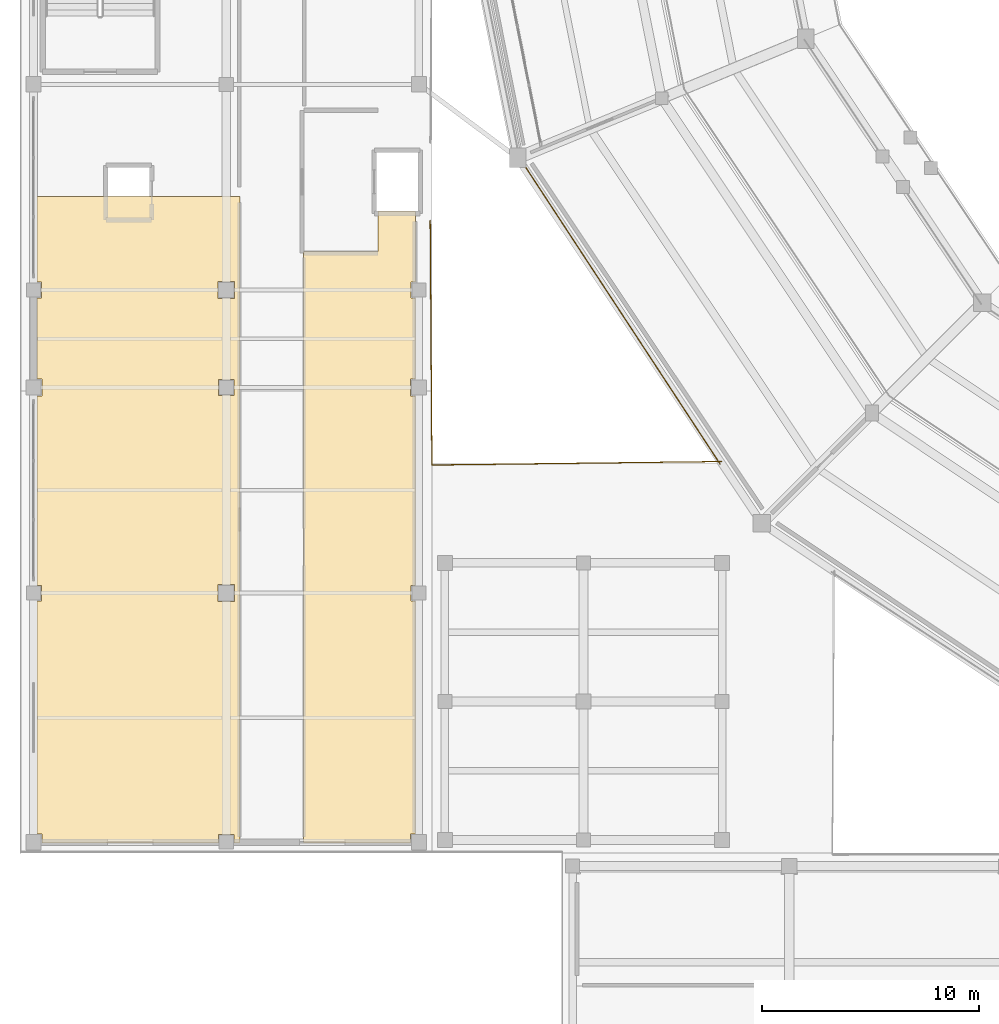
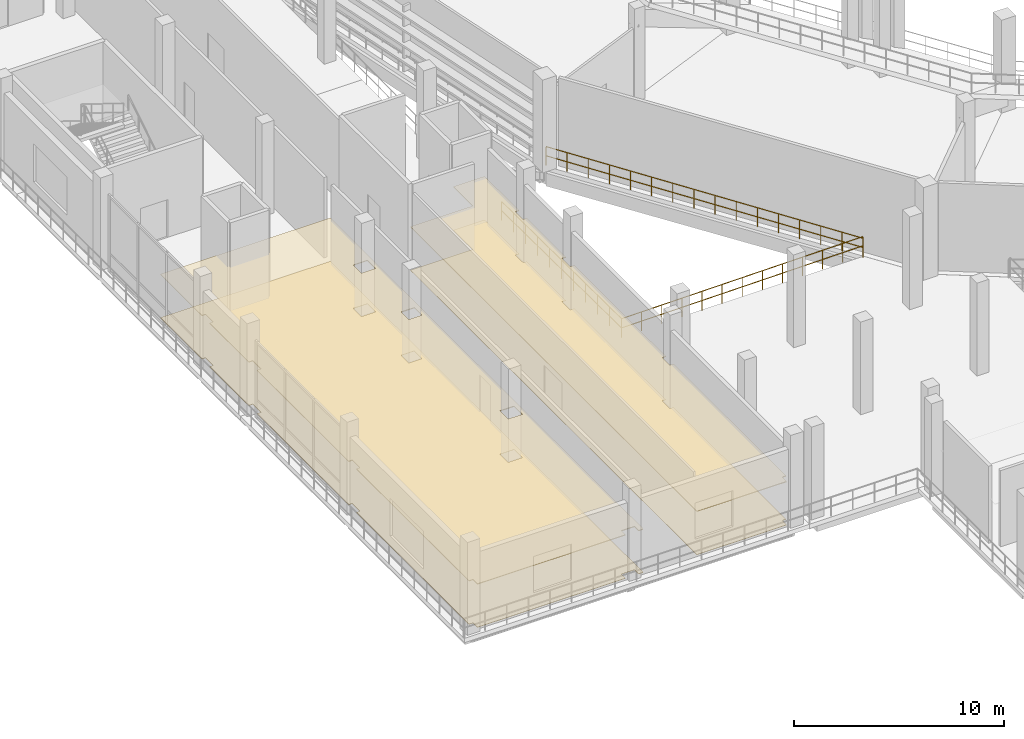
# One storey, part 96 of 127: 4 coverings, 3 railings.
"""IFC4 building model written with IfcOpenShell, lengths in metres."""

import ifcopenshell
import ifcopenshell.guid

model = None  # the IFC model being written
_history = None  # IfcOwnerHistory: only IFC2X3 demands one
_inside = {}  # id of a spatial element -> (the spatial element, [elements in it])
_under = {}  # id of a project, library or spatial element -> (it, [spatial elements below it])
_declared = {}  # id of a project -> (the project, [libraries it declares])
_typed = {}  # id of a type object -> (the type object, [elements of that type])
_made_of = {}  # id of a material, layer set ... -> (it, [elements and type objects made of it])


def new_model(schema):
    """Start an empty IFC model of exactly this schema.

    Asked for "IFC4X3", IfcOpenShell would pick the latest addendum, in which some entities
    have other attributes; the version numbers below select the first issue.
    IFC2X3 requires an IfcOwnerHistory on every rooted entity: one is made here for all.
    """
    global model, _history
    if schema == "IFC4X3":
        model = ifcopenshell.file(schema_version=(4, 3, 0, 0))
    else:
        model = ifcopenshell.file(schema=schema)
    _inside.clear()
    _under.clear()
    _declared.clear()
    _typed.clear()
    _made_of.clear()
    _history = None
    if model.schema == "IFC2X3":
        org = make("IfcOrganization", Name="unknown")
        user = make(
            "IfcPersonAndOrganization",
            ThePerson=make("IfcPerson", FamilyName="unknown"),
            TheOrganization=org,
        )
        app = make(
            "IfcApplication",
            ApplicationDeveloper=org,
            Version="unknown",
            ApplicationFullName="unknown",
            ApplicationIdentifier="unknown",
        )
        _history = make(
            "IfcOwnerHistory",
            OwningUser=user,
            OwningApplication=app,
            ChangeAction="ADDED",
            CreationDate=0,
        )
    return model


def make(cls, **values):
    """One entity of the class cls with the attributes given. An attribute that is None is left unset."""
    return model.create_entity(
        cls, **{name: value for name, value in values.items() if value is not None}
    )


def rooted(cls, **values):
    """An entity with a GlobalId (a new one), such as an element, a storey or a relation."""
    return make(cls, GlobalId=ifcopenshell.guid.new(), OwnerHistory=_history, **values)


def si_unit(unit_type, name, prefix=None):
    """IfcSIUnit, for example si_unit("LENGTHUNIT", "METRE", prefix="MILLI")."""
    return make("IfcSIUnit", UnitType=unit_type, Prefix=prefix, Name=name)


def assignment(units):
    """IfcUnitAssignment: the units of a project."""
    return None if units is None else make("IfcUnitAssignment", Units=units)


def point(xyz):
    """IfcCartesianPoint."""
    return None if xyz is None else make("IfcCartesianPoint", Coordinates=xyz)


def direction(xyz):
    """IfcDirection."""
    return None if xyz is None else make("IfcDirection", DirectionRatios=xyz)


def frame(location, z_axis=None, x_axis=None):
    """IfcAxis2Placement3D, a coordinate frame: its origin and axes. An axis left out is left unset."""
    return make(
        "IfcAxis2Placement3D",
        Location=point(location),
        Axis=direction(z_axis),
        RefDirection=direction(x_axis),
    )


def frame_2d(location, x_axis=None):
    """IfcAxis2Placement2D, a coordinate frame in the plane: its origin and x axis."""
    return make(
        "IfcAxis2Placement2D", Location=point(location), RefDirection=direction(x_axis)
    )


def origin():
    """The frame at (0, 0, 0) with its axes left unset."""
    return frame((0.0, 0.0, 0.0))


def origin_2d():
    """The frame at (0, 0) in the plane with its x axis left unset."""
    return frame_2d((0.0, 0.0))


def place(relative_to, where):
    """IfcLocalPlacement: puts the frame where relative to a parent placement (None: the world)."""
    return make(
        "IfcLocalPlacement", PlacementRelTo=relative_to, RelativePlacement=where
    )


def context(
    kind, dimensions, precision=None, world=None, true_north=None, identifier=None
):
    """IfcGeometricRepresentationContext, for example the 3D "Model" context."""
    return make(
        "IfcGeometricRepresentationContext",
        ContextIdentifier=identifier,
        ContextType=kind,
        CoordinateSpaceDimension=dimensions,
        Precision=precision,
        WorldCoordinateSystem=world,
        TrueNorth=true_north,
    )


def subcontext(parent, identifier, kind, view, scale=None):
    """IfcGeometricRepresentationSubContext, for example "Body" below "Model"."""
    return make(
        "IfcGeometricRepresentationSubContext",
        ContextIdentifier=identifier,
        ContextType=kind,
        ParentContext=parent,
        TargetScale=scale,
        TargetView=view,
    )


def project(units=None, contexts=None):
    """IfcProject with its units and contexts."""
    return rooted(
        "IfcProject",
        Name="project",
        RepresentationContexts=contexts,
        UnitsInContext=assignment(units),
    )


def spatial(cls, under=None, at=None, **own):
    """A site, building, storey or space (cls), placed at a placement, below another one or the project."""
    s = rooted(cls, ObjectPlacement=at, **own)
    if under is not None:
        _under.setdefault(under.id(), (under, []))[1].append(s)
    return s


def polyline(points):
    """IfcPolyline through the points."""
    return make("IfcPolyline", Points=[point(p) for p in points])


def profile(cls, at=None, kind="AREA", **sizes):
    """A parametric profile (cls). Its sizes go by their IFC names, for example OverallWidth=200.0."""
    return make(cls, ProfileType=kind, Position=at, **sizes)


def circle(**sizes):
    """IfcCircleProfileDef."""
    return profile("IfcCircleProfileDef", **sizes)


def outline(outer, holes=None, kind="AREA"):
    """IfcArbitraryClosedProfileDef: a profile drawn as a closed curve; with holes, ...WithVoids."""
    if holes is None:
        return make("IfcArbitraryClosedProfileDef", ProfileType=kind, OuterCurve=outer)
    return make(
        "IfcArbitraryProfileDefWithVoids",
        ProfileType=kind,
        OuterCurve=outer,
        InnerCurves=holes,
    )


def extrude(swept, where, along, depth):
    """IfcExtrudedAreaSolid: the profile swept, set in the frame where, extruded along a direction by depth."""
    return make(
        "IfcExtrudedAreaSolid",
        SweptArea=swept,
        Position=where,
        ExtrudedDirection=direction(along),
        Depth=depth,
    )


def shape(context_of_items, identifier, shape_type, items):
    """IfcShapeRepresentation: the items that make up one representation, for example the "Body"."""
    return make(
        "IfcShapeRepresentation",
        ContextOfItems=context_of_items,
        RepresentationIdentifier=identifier,
        RepresentationType=shape_type,
        Items=items,
    )


def material(Name=None, Category=None):
    """IfcMaterial."""
    return make("IfcMaterial", Name=Name, Category=Category)


def layer(
    of_material, thickness, ventilated=None, Name=None, Category=None, Priority=None
):
    """IfcMaterialLayer: one layer of a wall or slab, of a material (None: an air gap)."""
    return make(
        "IfcMaterialLayer",
        Material=of_material,
        LayerThickness=thickness,
        IsVentilated=ventilated,
        Name=Name,
        Category=Category,
        Priority=Priority,
    )


def layer_set(layers, Name=None):
    """IfcMaterialLayerSet."""
    return make("IfcMaterialLayerSet", MaterialLayers=layers, LayerSetName=Name)


def made_of(thing, what):
    """Note that an element or type object is made of a material, layer set ...; save() writes the relation."""
    if what is not None:
        _made_of.setdefault(what.id(), (what, []))[1].append(thing)
    return thing


def type_object(cls, material=None, **own):
    """A type object (cls), such as IfcWallType, which elements share."""
    return made_of(rooted(cls, **own), material)


def element(
    cls,
    number,
    at=None,
    inside=None,
    cuts=None,
    type_object=None,
    material=None,
    context=None,
    identifier="Body",
    shape_type=None,
    held_by="IfcProductDefinitionShape",
    body=None,
    shapes=None,
    **own,
):
    """One element of the class cls, such as IfcWall. Its Tag is "e" and its number.

    at: its placement. inside: the storey or other place that contains it. cuts: it is an
    opening in that element (IfcRelVoidsElement). A single representation is given by context,
    identifier, shape_type and body (its items); several are given by shapes. held_by: the class
    of the entity that holds the representations. save() writes the other relations.
    """
    e = rooted(cls, Tag="e%d" % number, ObjectPlacement=at, **own)
    if body is not None:
        shapes = [shape(context, identifier, shape_type, body)]
    if shapes is not None:
        e.Representation = make(held_by, Representations=shapes)
    if inside is not None:
        _inside.setdefault(inside.id(), (inside, []))[1].append(e)
    if cuts is not None:
        rooted(
            "IfcRelVoidsElement", RelatingBuildingElement=cuts, RelatedOpeningElement=e
        )
    if type_object is not None:
        _typed.setdefault(type_object.id(), (type_object, []))[1].append(e)
    return made_of(e, material)


def aggregate(whole, parts):
    """IfcRelAggregates: a whole, such as a stair, and the parts it consists of."""
    return rooted("IfcRelAggregates", RelatingObject=whole, RelatedObjects=parts)


def save(model, path):
    """Write the relations noted so far, then the file.

    IfcRelAggregates (storeys below a building ...), IfcRelContainedInSpatialStructure (elements
    in a storey), IfcRelDefinesByType, IfcRelAssociatesMaterial and IfcRelDeclares: one each for
    every whole, place, type object, material and project.
    """
    for whole, parts in _under.values():
        aggregate(whole, parts)
    for where, things in _inside.values():
        rooted(
            "IfcRelContainedInSpatialStructure",
            RelatedElements=things,
            RelatingStructure=where,
        )
    for kind, things in _typed.values():
        rooted("IfcRelDefinesByType", RelatedObjects=things, RelatingType=kind)
    for what, things in _made_of.values():
        rooted("IfcRelAssociatesMaterial", RelatedObjects=things, RelatingMaterial=what)
    for by, libraries in _declared.values():
        rooted("IfcRelDeclares", RelatingContext=by, RelatedDefinitions=libraries)
    model.write(path)


model = new_model("IFC4")

# Units and contexts
model_context = context("Model", 3, precision=1e-05, world=origin(), true_north=direction((0.0, 1.0)))
body_context = subcontext(model_context, "Body", "Model", "MODEL_VIEW")
ifc_project = project(units=[si_unit("LENGTHUNIT", "METRE"), si_unit("AREAUNIT", "SQUARE_METRE"), si_unit("VOLUMEUNIT", "CUBIC_METRE"), si_unit("PLANEANGLEUNIT", "RADIAN"), si_unit("MASSUNIT", "GRAM", prefix="KILO")], contexts=[model_context])

# Site, building, storey
site_placement = place(None, origin())
site = spatial("IfcSite", under=ifc_project, at=site_placement, CompositionType="ELEMENT")
building_placement = place(site_placement, origin())
building = spatial("IfcBuilding", under=site, at=building_placement, Name="Candeia Ridge Stadium", CompositionType="ELEMENT")
storey_placement = place(building_placement, frame((0.0, 0.0, 10.800048828125)))
storey = spatial("IfcBuildingStorey", under=building, at=storey_placement, Name="L02", CompositionType="ELEMENT", Elevation=10.800048828125)

# Coverings
ifc_material_1 = material(Name="Basalt Terrazzo Finish", Category="masonry")
ifc_layer_1 = layer(ifc_material_1, 0.02490234375, Name="Basalt Terrazzo Finish", Category="masonry")
ifc_layer_set_1 = layer_set([ifc_layer_1], Name="Basalt Terrazzo Finish")
covering_type_1 = type_object("IfcCoveringType", Name="Polished Basalt Terrazzo Flooring 25", PredefinedType="FLOORING", material=ifc_layer_set_1)
covering_1_placement = place(storey_placement, origin())
element("IfcCovering", 1, at=covering_1_placement, inside=storey, type_object=covering_type_1, Name="Interior finish flooring Founders Club Lounge", PredefinedType="FLOORING", context=body_context, shape_type="SweptSolid", body=[
    extrude(outline(polyline([(0.965087890625, 30.635009765625), (0.965087890625, 31.364990234375), (0.77001953125, 31.364990234375), (0.77001953125, 40.110107421875), (0.989990234375, 40.110107421875), (0.989990234375, 40.889892578125), (0.77001953125, 40.889892578125), (0.77001953125, 44.635009765625), (0.965087890625, 44.635009765625), (0.965087890625, 45.364990234375), (0.77001953125, 45.364990234375), (0.77001953125, 49.300048828125), (0.77001953125, 49.302978515625), (0.7705078125, 49.305908203125), (0.771240234375, 49.30859375), (0.772216796875, 49.3115234375), (0.7734375, 49.314208984375), (0.775146484375, 49.316650390625), (0.77685546875, 49.319091796875), (0.77880859375, 49.3212890625), (0.781005859375, 49.3232421875), (0.783203125, 49.324951171875), (0.785888671875, 49.326416015625), (0.78857421875, 49.32763671875), (0.791259765625, 49.32861328125), (0.794189453125, 49.329345703125), (0.797119140625, 49.329833984375), (0.800048828125, 49.330078125), (10.10009765625, 49.330078125), (10.102783203125, 49.329833984375), (10.10595703125, 49.329345703125), (10.108642578125, 49.32861328125), (10.111572265625, 49.32763671875), (10.114013671875, 49.326416015625), (10.11669921875, 49.324951171875), (10.118896484375, 49.3232421875), (10.12109375, 49.3212890625), (10.123291015625, 49.319091796875), (10.125, 49.316650390625), (10.12646484375, 49.314208984375), (10.127685546875, 49.3115234375), (10.128662109375, 49.30859375), (10.12939453125, 49.305908203125), (10.1298828125, 49.302978515625), (10.1298828125, 49.300048828125), (10.1298828125, 19.5), (10.1298828125, 19.4970703125), (10.12939453125, 19.494140625), (10.128662109375, 19.4912109375), (10.127685546875, 19.488525390625), (10.12646484375, 19.48583984375), (10.125, 19.4833984375), (10.123291015625, 19.48095703125), (10.12109375, 19.478759765625), (10.118896484375, 19.476806640625), (10.11669921875, 19.47509765625), (10.114013671875, 19.473388671875), (10.111572265625, 19.472412109375), (10.108642578125, 19.47119140625), (10.10595703125, 19.470703125), (10.102783203125, 19.47021484375), (10.10009765625, 19.469970703125), (9.864990234375, 19.469970703125), (9.864990234375, 19.864990234375), (9.135009765625, 19.864990234375), (9.135009765625, 19.469970703125), (0.989990234375, 19.469970703125), (0.989990234375, 19.889892578125), (0.77001953125, 19.889892578125), (0.77001953125, 30.635009765625), (0.965087890625, 30.635009765625)]), holes=[polyline([(9.110107421875, 31.389892578125), (9.110107421875, 30.610107421875), (9.889892578125, 30.610107421875), (9.889892578125, 31.389892578125), (9.110107421875, 31.389892578125)]), polyline([(9.135009765625, 40.864990234375), (9.135009765625, 40.135009765625), (9.864990234375, 40.135009765625), (9.864990234375, 40.864990234375), (9.135009765625, 40.864990234375)]), polyline([(9.889892578125, 45.389892578125), (9.110107421875, 45.389892578125), (9.110107421875, 44.610107421875), (9.889892578125, 44.610107421875), (9.889892578125, 45.389892578125)])]), origin(), (0.0, 0.0, 1.0), 0.02001953125),
])
covering_2_placement = place(storey_placement, origin())
element("IfcCovering", 2, at=covering_2_placement, inside=storey, type_object=covering_type_1, Name="Interior finish flooring Founders Club Lounge Pitchside Suite", PredefinedType="FLOORING", context=body_context, shape_type="SweptSolid", body=[
    extrude(outline(polyline([(13.09716796875, 19.47021484375), (13.093994140625, 19.470703125), (13.09130859375, 19.47119140625), (13.08837890625, 19.472412109375), (13.0859375, 19.473388671875), (13.083251953125, 19.47509765625), (13.0810546875, 19.476806640625), (13.078857421875, 19.478759765625), (13.076904296875, 19.48095703125), (13.0751953125, 19.4833984375), (13.073486328125, 19.48583984375), (13.072265625, 19.488525390625), (13.0712890625, 19.4912109375), (13.070556640625, 19.494140625), (13.070068359375, 19.4970703125), (13.070068359375, 19.5), (13.070068359375, 46.760009765625), (13.070068359375, 46.762939453125), (13.070556640625, 46.765869140625), (13.0712890625, 46.768798828125), (13.072265625, 46.771484375), (13.073486328125, 46.774169921875), (13.0751953125, 46.776611328125), (13.076904296875, 46.779052734375), (13.078857421875, 46.78125), (13.0810546875, 46.783203125), (13.083251953125, 46.784912109375), (13.0859375, 46.78662109375), (13.08837890625, 46.78759765625), (13.09130859375, 46.788818359375), (13.093994140625, 46.789306640625), (13.09716796875, 46.789794921875), (13.10009765625, 46.7900390625), (16.499267578125, 46.7900390625), (16.500732421875, 46.7900390625), (16.502197265625, 46.790283203125), (16.503173828125, 46.79052734375), (16.50390625, 46.790771484375), (16.504638671875, 46.791259765625), (16.50537109375, 46.79150390625), (16.50634765625, 46.792236328125), (16.507080078125, 46.79296875), (16.5078125, 46.793701171875), (16.50830078125, 46.794677734375), (16.5087890625, 46.79541015625), (16.50927734375, 46.796142578125), (16.509521484375, 46.796875), (16.509765625, 46.7978515625), (16.510009765625, 46.79931640625), (16.510009765625, 46.80078125), (16.510009765625, 48.610107421875), (16.510009765625, 48.61279296875), (16.510498046875, 48.615966796875), (16.51123046875, 48.61865234375), (16.51220703125, 48.62158203125), (16.513427734375, 48.6240234375), (16.51513671875, 48.626708984375), (16.516845703125, 48.62890625), (16.518798828125, 48.631103515625), (16.52099609375, 48.63330078125), (16.523193359375, 48.635009765625), (16.52587890625, 48.636474609375), (16.528564453125, 48.6376953125), (16.53125, 48.638671875), (16.5341796875, 48.639404296875), (16.537109375, 48.639892578125), (16.5400390625, 48.639892578125), (18.199951171875, 48.639892578125), (18.202880859375, 48.639892578125), (18.205810546875, 48.639404296875), (18.208740234375, 48.638671875), (18.21142578125, 48.6376953125), (18.214111328125, 48.636474609375), (18.216796875, 48.635009765625), (18.218994140625, 48.63330078125), (18.22119140625, 48.631103515625), (18.22314453125, 48.62890625), (18.224853515625, 48.626708984375), (18.2265625, 48.6240234375), (18.227783203125, 48.62158203125), (18.228759765625, 48.61865234375), (18.2294921875, 48.615966796875), (18.22998046875, 48.61279296875), (18.22998046875, 48.610107421875), (18.22998046875, 45.364990234375), (18.034912109375, 45.364990234375), (18.034912109375, 44.635009765625), (18.22998046875, 44.635009765625), (18.22998046875, 40.889892578125), (18.010009765625, 40.889892578125), (18.010009765625, 40.110107421875), (18.22998046875, 40.110107421875), (18.22998046875, 31.364990234375), (18.034912109375, 31.364990234375), (18.034912109375, 30.635009765625), (18.22998046875, 30.635009765625), (18.22998046875, 19.889892578125), (18.010009765625, 19.889892578125), (18.010009765625, 19.469970703125), (13.10009765625, 19.469970703125), (13.09716796875, 19.47021484375)])), origin(), (0.0, 0.0, 1.0), 0.02001953125),
])
ifc_material_2 = material(Name="Western Red Cedar Acoustic Slat", Category="wood")
ifc_layer_2 = layer(ifc_material_2, 0.044921875, Name="Western Red Cedar Acoustic Slat", Category="wood")
ifc_layer_set_2 = layer_set([ifc_layer_2], Name="Western Red Cedar Acoustic Slat")
covering_type_2 = type_object("IfcCoveringType", Name="Slatted Cedar Acoustic Ceiling 45", PredefinedType="CEILING", material=ifc_layer_set_2)
covering_3_placement = place(storey_placement, frame((0.0, 0.0, 2.510009765625)))
element("IfcCovering", 3, at=covering_3_placement, inside=storey, type_object=covering_type_2, Name="Acoustic ceiling Founders Club Lounge", PredefinedType="CEILING", context=body_context, shape_type="SweptSolid", body=[
    extrude(outline(polyline([(0.965087890625, 30.635009765625), (0.965087890625, 31.364990234375), (0.77001953125, 31.364990234375), (0.77001953125, 40.110107421875), (0.989990234375, 40.110107421875), (0.989990234375, 40.889892578125), (0.77001953125, 40.889892578125), (0.77001953125, 44.635009765625), (0.965087890625, 44.635009765625), (0.965087890625, 45.364990234375), (0.77001953125, 45.364990234375), (0.77001953125, 49.300048828125), (0.77001953125, 49.302978515625), (0.7705078125, 49.305908203125), (0.771240234375, 49.30859375), (0.772216796875, 49.3115234375), (0.7734375, 49.314208984375), (0.775146484375, 49.316650390625), (0.77685546875, 49.319091796875), (0.77880859375, 49.3212890625), (0.781005859375, 49.3232421875), (0.783203125, 49.324951171875), (0.785888671875, 49.326416015625), (0.78857421875, 49.32763671875), (0.791259765625, 49.32861328125), (0.794189453125, 49.329345703125), (0.797119140625, 49.329833984375), (0.800048828125, 49.330078125), (10.10009765625, 49.330078125), (10.102783203125, 49.329833984375), (10.10595703125, 49.329345703125), (10.108642578125, 49.32861328125), (10.111572265625, 49.32763671875), (10.114013671875, 49.326416015625), (10.11669921875, 49.324951171875), (10.118896484375, 49.3232421875), (10.12109375, 49.3212890625), (10.123291015625, 49.319091796875), (10.125, 49.316650390625), (10.12646484375, 49.314208984375), (10.127685546875, 49.3115234375), (10.128662109375, 49.30859375), (10.12939453125, 49.305908203125), (10.1298828125, 49.302978515625), (10.1298828125, 49.300048828125), (10.1298828125, 19.5), (10.1298828125, 19.4970703125), (10.12939453125, 19.494140625), (10.128662109375, 19.4912109375), (10.127685546875, 19.488525390625), (10.12646484375, 19.48583984375), (10.125, 19.4833984375), (10.123291015625, 19.48095703125), (10.12109375, 19.478759765625), (10.118896484375, 19.476806640625), (10.11669921875, 19.47509765625), (10.114013671875, 19.473388671875), (10.111572265625, 19.472412109375), (10.108642578125, 19.47119140625), (10.10595703125, 19.470703125), (10.102783203125, 19.47021484375), (10.10009765625, 19.469970703125), (9.864990234375, 19.469970703125), (9.864990234375, 19.864990234375), (9.135009765625, 19.864990234375), (9.135009765625, 19.469970703125), (0.989990234375, 19.469970703125), (0.989990234375, 19.889892578125), (0.77001953125, 19.889892578125), (0.77001953125, 30.635009765625), (0.965087890625, 30.635009765625)]), holes=[polyline([(9.110107421875, 31.389892578125), (9.110107421875, 30.610107421875), (9.889892578125, 30.610107421875), (9.889892578125, 31.389892578125), (9.110107421875, 31.389892578125)]), polyline([(9.135009765625, 40.864990234375), (9.135009765625, 40.135009765625), (9.864990234375, 40.135009765625), (9.864990234375, 40.864990234375), (9.135009765625, 40.864990234375)]), polyline([(9.889892578125, 45.389892578125), (9.110107421875, 45.389892578125), (9.110107421875, 44.610107421875), (9.889892578125, 44.610107421875), (9.889892578125, 45.389892578125)])]), origin(), (0.0, 0.0, 1.0), 0.0400390625),
])
covering_4_placement = place(storey_placement, frame((0.0, 0.0, 2.510009765625)))
element("IfcCovering", 4, at=covering_4_placement, inside=storey, type_object=covering_type_2, Name="Acoustic ceiling Founders Club Lounge Pitchside Suite", PredefinedType="CEILING", context=body_context, shape_type="SweptSolid", body=[
    extrude(outline(polyline([(13.09716796875, 19.47021484375), (13.093994140625, 19.470703125), (13.09130859375, 19.47119140625), (13.08837890625, 19.472412109375), (13.0859375, 19.473388671875), (13.083251953125, 19.47509765625), (13.0810546875, 19.476806640625), (13.078857421875, 19.478759765625), (13.076904296875, 19.48095703125), (13.0751953125, 19.4833984375), (13.073486328125, 19.48583984375), (13.072265625, 19.488525390625), (13.0712890625, 19.4912109375), (13.070556640625, 19.494140625), (13.070068359375, 19.4970703125), (13.070068359375, 19.5), (13.070068359375, 46.760009765625), (13.070068359375, 46.762939453125), (13.070556640625, 46.765869140625), (13.0712890625, 46.768798828125), (13.072265625, 46.771484375), (13.073486328125, 46.774169921875), (13.0751953125, 46.776611328125), (13.076904296875, 46.779052734375), (13.078857421875, 46.78125), (13.0810546875, 46.783203125), (13.083251953125, 46.784912109375), (13.0859375, 46.78662109375), (13.08837890625, 46.78759765625), (13.09130859375, 46.788818359375), (13.093994140625, 46.789306640625), (13.09716796875, 46.789794921875), (13.10009765625, 46.7900390625), (16.499267578125, 46.7900390625), (16.500732421875, 46.7900390625), (16.502197265625, 46.790283203125), (16.503173828125, 46.79052734375), (16.50390625, 46.790771484375), (16.504638671875, 46.791259765625), (16.50537109375, 46.79150390625), (16.50634765625, 46.792236328125), (16.507080078125, 46.79296875), (16.5078125, 46.793701171875), (16.50830078125, 46.794677734375), (16.5087890625, 46.79541015625), (16.50927734375, 46.796142578125), (16.509521484375, 46.796875), (16.509765625, 46.7978515625), (16.510009765625, 46.79931640625), (16.510009765625, 46.80078125), (16.510009765625, 48.610107421875), (16.510009765625, 48.61279296875), (16.510498046875, 48.615966796875), (16.51123046875, 48.61865234375), (16.51220703125, 48.62158203125), (16.513427734375, 48.6240234375), (16.51513671875, 48.626708984375), (16.516845703125, 48.62890625), (16.518798828125, 48.631103515625), (16.52099609375, 48.63330078125), (16.523193359375, 48.635009765625), (16.52587890625, 48.636474609375), (16.528564453125, 48.6376953125), (16.53125, 48.638671875), (16.5341796875, 48.639404296875), (16.537109375, 48.639892578125), (16.5400390625, 48.639892578125), (18.199951171875, 48.639892578125), (18.202880859375, 48.639892578125), (18.205810546875, 48.639404296875), (18.208740234375, 48.638671875), (18.21142578125, 48.6376953125), (18.214111328125, 48.636474609375), (18.216796875, 48.635009765625), (18.218994140625, 48.63330078125), (18.22119140625, 48.631103515625), (18.22314453125, 48.62890625), (18.224853515625, 48.626708984375), (18.2265625, 48.6240234375), (18.227783203125, 48.62158203125), (18.228759765625, 48.61865234375), (18.2294921875, 48.615966796875), (18.22998046875, 48.61279296875), (18.22998046875, 48.610107421875), (18.22998046875, 45.364990234375), (18.034912109375, 45.364990234375), (18.034912109375, 44.635009765625), (18.22998046875, 44.635009765625), (18.22998046875, 40.889892578125), (18.010009765625, 40.889892578125), (18.010009765625, 40.110107421875), (18.22998046875, 40.110107421875), (18.22998046875, 31.364990234375), (18.034912109375, 31.364990234375), (18.034912109375, 30.635009765625), (18.22998046875, 30.635009765625), (18.22998046875, 19.889892578125), (18.010009765625, 19.889892578125), (18.010009765625, 19.469970703125), (13.10009765625, 19.469970703125), (13.09716796875, 19.47021484375)])), origin(), (0.0, 0.0, 1.0), 0.0400390625),
])

# Railings
ifc_material_3 = material(Name="Galvanized Powder-Coated Steel", Category="steel")
ifc_layer_3 = layer(ifc_material_3, 0.074951171875, Name="Galvanized Powder-Coated Steel", Category="steel")
ifc_layer_set_3 = layer_set([ifc_layer_3], Name="Galvanized Powder-Coated Steel")
railing_type = type_object("IfcRailingType", Name="Spectator Bowl Front Guardrail 1120", PredefinedType="GUARDRAIL", material=ifc_layer_set_3)
railing_1_placement = place(storey_placement, frame((32.313232421875, 36.95556640625, 0.0)))
element("IfcRailing", 5, at=railing_1_placement, inside=storey, type_object=railing_type, Name="Deck edge safety guardrail GR-DE-L02-0140", PredefinedType="GUARDRAIL", context=body_context, shape_type="SweptSolid", body=[
    extrude(circle(Radius=0.02392578125, at=origin_2d()), frame((0.0, 0.0, 1.09619140625), z_axis=(-0.547972672169, 0.836496234634, 0.0), x_axis=(-0.836496234634, -0.547972672169, 0.0)), (0.0, 0.0, 1.0), 16.928466796875),
    extrude(circle(Radius=0.02392578125, at=origin_2d()), frame((0.0, 0.0, 0.56005859375), z_axis=(-0.547972672169, 0.836496234634, 0.0), x_axis=(-0.836496234634, -0.547972672169, 0.0)), (0.0, 0.0, 1.0), 16.928466796875),
    extrude(circle(Radius=0.02099609375, at=origin_2d()), origin(), (0.0, 0.0, 1.0), 1.072021484375),
    extrude(circle(Radius=0.02099609375, at=origin_2d()), frame((-0.618408203125, 0.944091796875, 0.0)), (0.0, 0.0, 1.0), 1.072021484375),
    extrude(circle(Radius=0.02099609375, at=origin_2d()), frame((-1.23681640625, 1.88818359375, 0.0)), (0.0, 0.0, 1.0), 1.072021484375),
    extrude(circle(Radius=0.02099609375, at=origin_2d()), frame((-1.855224609375, 2.83203125, 0.0)), (0.0, 0.0, 1.0), 1.072021484375),
    extrude(circle(Radius=0.02099609375, at=origin_2d()), frame((-2.4736328125, 3.776123046875, 0.0)), (0.0, 0.0, 1.0), 1.072021484375),
    extrude(circle(Radius=0.02099609375, at=origin_2d()), frame((-3.092041015625, 4.72021484375, 0.0)), (0.0, 0.0, 1.0), 1.072021484375),
    extrude(circle(Radius=0.02099609375, at=origin_2d()), frame((-3.71044921875, 5.664306640625, 0.0)), (0.0, 0.0, 1.0), 1.072021484375),
    extrude(circle(Radius=0.02099609375, at=origin_2d()), frame((-4.328857421875, 6.6083984375, 0.0)), (0.0, 0.0, 1.0), 1.072021484375),
    extrude(circle(Radius=0.02099609375, at=origin_2d()), frame((-4.947509765625, 7.55224609375, 0.0)), (0.0, 0.0, 1.0), 1.072021484375),
    extrude(circle(Radius=0.02099609375, at=origin_2d()), frame((-5.56591796875, 8.496337890625, 0.0)), (0.0, 0.0, 1.0), 1.072021484375),
    extrude(circle(Radius=0.02099609375, at=origin_2d()), frame((-6.184326171875, 9.4404296875, 0.0)), (0.0, 0.0, 1.0), 1.072021484375),
    extrude(circle(Radius=0.02099609375, at=origin_2d()), frame((-6.802734375, 10.384521484375, 0.0)), (0.0, 0.0, 1.0), 1.072021484375),
    extrude(circle(Radius=0.02099609375, at=origin_2d()), frame((-7.421142578125, 11.32861328125, 0.0)), (0.0, 0.0, 1.0), 1.072021484375),
    extrude(circle(Radius=0.02099609375, at=origin_2d()), frame((-8.03955078125, 12.2724609375, 0.0)), (0.0, 0.0, 1.0), 1.072021484375),
    extrude(circle(Radius=0.02099609375, at=origin_2d()), frame((-8.657958984375, 13.216552734375, 0.0)), (0.0, 0.0, 1.0), 1.072021484375),
    extrude(circle(Radius=0.02099609375, at=origin_2d()), frame((-9.2763671875, 14.16064453125, 0.0)), (0.0, 0.0, 1.0), 1.072021484375),
])
railing_2_placement = place(storey_placement, frame((18.919921875, 48.215087890625, 0.0)))
element("IfcRailing", 6, at=railing_2_placement, inside=storey, type_object=railing_type, Name="Deck edge safety guardrail GR-DE-L02-0143", PredefinedType="GUARDRAIL", context=body_context, shape_type="SweptSolid", body=[
    extrude(circle(Radius=0.02392578125, at=origin_2d()), frame((0.0, 0.0, 1.09619140625), z_axis=(0.007089414402, -0.999974869786, 0.0), x_axis=(0.999974869786, 0.007089414402, 0.0)), (0.0, 0.0, 1.0), 11.29541015625),
    extrude(circle(Radius=0.02392578125, at=origin_2d()), frame((0.0, 0.0, 0.56005859375), z_axis=(0.007089414402, -0.999974869786, 0.0), x_axis=(0.999974869786, 0.007089414402, 0.0)), (0.0, 0.0, 1.0), 11.29541015625),
    extrude(circle(Radius=0.02099609375, at=origin_2d()), origin(), (0.0, 0.0, 1.0), 1.072021484375),
    extrude(circle(Radius=0.02099609375, at=origin_2d()), frame((0.008056640625, -1.12939453125, 0.0)), (0.0, 0.0, 1.0), 1.072021484375),
    extrude(circle(Radius=0.02099609375, at=origin_2d()), frame((0.01611328125, -2.259033203125, 0.0)), (0.0, 0.0, 1.0), 1.072021484375),
    extrude(circle(Radius=0.02099609375, at=origin_2d()), frame((0.02392578125, -3.388671875, 0.0)), (0.0, 0.0, 1.0), 1.072021484375),
    extrude(circle(Radius=0.02099609375, at=origin_2d()), frame((0.031982421875, -4.51806640625, 0.0)), (0.0, 0.0, 1.0), 1.072021484375),
    extrude(circle(Radius=0.02099609375, at=origin_2d()), frame((0.0400390625, -5.6474609375, 0.0)), (0.0, 0.0, 1.0), 1.072021484375),
    extrude(circle(Radius=0.02099609375, at=origin_2d()), frame((0.048095703125, -6.777099609375, 0.0)), (0.0, 0.0, 1.0), 1.072021484375),
    extrude(circle(Radius=0.02099609375, at=origin_2d()), frame((0.05615234375, -7.906494140625, 0.0)), (0.0, 0.0, 1.0), 1.072021484375),
    extrude(circle(Radius=0.02099609375, at=origin_2d()), frame((0.06396484375, -9.0361328125, 0.0)), (0.0, 0.0, 1.0), 1.072021484375),
    extrude(circle(Radius=0.02099609375, at=origin_2d()), frame((0.072021484375, -10.16552734375, 0.0)), (0.0, 0.0, 1.0), 1.072021484375),
    extrude(circle(Radius=0.02099609375, at=origin_2d()), frame((0.080078125, -11.295166015625, 0.0)), (0.0, 0.0, 1.0), 1.072021484375),
])
railing_3_placement = place(storey_placement, frame((19.0, 36.919921875, 0.0)))
element("IfcRailing", 7, at=railing_3_placement, inside=storey, type_object=railing_type, Name="Deck edge safety guardrail GR-DE-L02-0144", PredefinedType="GUARDRAIL", context=body_context, shape_type="SweptSolid", body=[
    extrude(circle(Radius=0.02392578125, at=origin_2d()), frame((0.0, 0.0, 1.09619140625), z_axis=(0.999928368095, 0.011969071773, 0.0), x_axis=(-0.011969071773, 0.999928368095, 0.0)), (0.0, 0.0, 1.0), 13.380859375),
    extrude(circle(Radius=0.02392578125, at=origin_2d()), frame((0.0, 0.0, 0.56005859375), z_axis=(0.999928368095, 0.011969071773, 0.0), x_axis=(-0.011969071773, 0.999928368095, 0.0)), (0.0, 0.0, 1.0), 13.380859375),
    extrude(circle(Radius=0.02099609375, at=origin_2d()), origin(), (0.0, 0.0, 1.0), 1.072021484375),
    extrude(circle(Radius=0.02099609375, at=origin_2d()), frame((1.114990234375, 0.013427734375, 0.0)), (0.0, 0.0, 1.0), 1.072021484375),
    extrude(circle(Radius=0.02099609375, at=origin_2d()), frame((2.22998046875, 0.026611328125, 0.0)), (0.0, 0.0, 1.0), 1.072021484375),
    extrude(circle(Radius=0.02099609375, at=origin_2d()), frame((3.344970703125, 0.0400390625, 0.0)), (0.0, 0.0, 1.0), 1.072021484375),
    extrude(circle(Radius=0.02099609375, at=origin_2d()), frame((4.4599609375, 0.053466796875, 0.0)), (0.0, 0.0, 1.0), 1.072021484375),
    extrude(circle(Radius=0.02099609375, at=origin_2d()), frame((5.574951171875, 0.066650390625, 0.0)), (0.0, 0.0, 1.0), 1.072021484375),
    extrude(circle(Radius=0.02099609375, at=origin_2d()), frame((6.68994140625, 0.080078125, 0.0)), (0.0, 0.0, 1.0), 1.072021484375),
    extrude(circle(Radius=0.02099609375, at=origin_2d()), frame((7.804931640625, 0.093505859375, 0.0)), (0.0, 0.0, 1.0), 1.072021484375),
    extrude(circle(Radius=0.02099609375, at=origin_2d()), frame((8.919921875, 0.106689453125, 0.0)), (0.0, 0.0, 1.0), 1.072021484375),
    extrude(circle(Radius=0.02099609375, at=origin_2d()), frame((10.034912109375, 0.1201171875, 0.0)), (0.0, 0.0, 1.0), 1.072021484375),
    extrude(circle(Radius=0.02099609375, at=origin_2d()), frame((11.14990234375, 0.133544921875, 0.0)), (0.0, 0.0, 1.0), 1.072021484375),
    extrude(circle(Radius=0.02099609375, at=origin_2d()), frame((12.264892578125, 0.146728515625, 0.0)), (0.0, 0.0, 1.0), 1.072021484375),
    extrude(circle(Radius=0.02099609375, at=origin_2d()), frame((13.3798828125, 0.16015625, 0.0)), (0.0, 0.0, 1.0), 1.072021484375),
])

save(model, "model.ifc")
